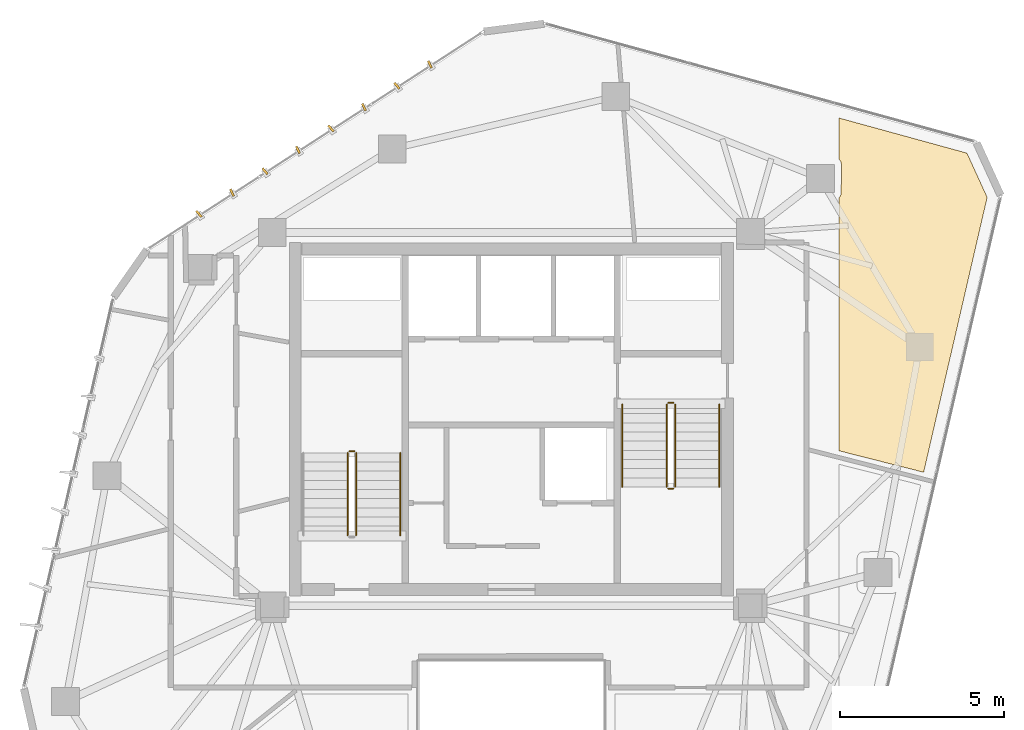
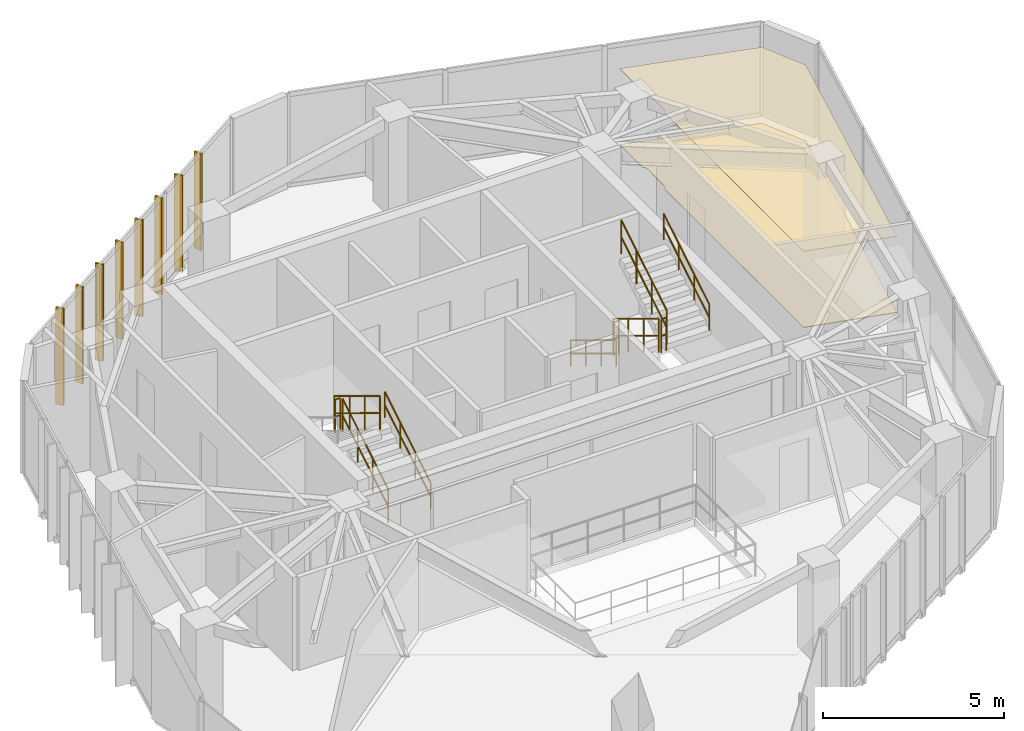
# One storey, part 20 of 20: 10 railings, 8 shading devices, 2 coverings.
"""IFC4 building model written with IfcOpenShell, lengths in metres."""

from ifc_helpers import new_model, si_unit, direction, frame, origin, origin_2d, place, context, subcontext, project, spatial, polyline, rectangle, circle, outline, extrude, source, transform, mapped, material, layer, layer_set, type_object, type_shapes, element, save


model = new_model("IFC4")

# Units and contexts
model_context = context("Model", 3, precision=1e-05, world=origin(), true_north=direction((0.0, 1.0)))
body_context = subcontext(model_context, "Body", "Model", "MODEL_VIEW")
ifc_project = project(units=[si_unit("LENGTHUNIT", "METRE"), si_unit("AREAUNIT", "SQUARE_METRE"), si_unit("VOLUMEUNIT", "CUBIC_METRE"), si_unit("PLANEANGLEUNIT", "RADIAN"), si_unit("MASSUNIT", "GRAM", prefix="KILO")], contexts=[model_context])

# Site, building, storey
site_placement = place(None, origin())
site = spatial("IfcSite", under=ifc_project, at=site_placement, CompositionType="ELEMENT")
building_placement = place(site_placement, origin())
building = spatial("IfcBuilding", under=site, at=building_placement, Name="Talar Marvaseh", CompositionType="ELEMENT")
storey_placement = place(building_placement, frame((0.0, 0.0, 247.60009765625)))
storey = spatial("IfcBuildingStorey", under=building, at=storey_placement, Name="L65", CompositionType="ELEMENT", Elevation=247.60009765625)

# Railings
ifc_material_1 = material(Name="Stainless Steel Grade 316", Category="steel")
railing_type_1 = type_object("IfcRailingType", Name="Brushed Stainless Wall Pitch Handrail 900", PredefinedType="HANDRAIL", material=ifc_material_1)
railing_1_placement = place(storey_placement, frame((22.610107421875, 27.64990234375, 0.169921875)))
element("IfcRailing", 1, at=railing_1_placement, inside=storey, type_object=railing_type_1, Name="L65 ST-1 stair handrail 1", PredefinedType="HANDRAIL", context=body_context, shape_type="SweptSolid", body=[
    extrude(circle(Radius=0.02392578125, at=origin_2d()), frame((0.0, 0.0, 0.8759765625), z_axis=(0.0, 0.85478489116, 0.518982456201), x_axis=(-1.0, 0.0, 0.0)), (0.0, 0.0, 1.0), 2.9482421875),
    extrude(circle(Radius=0.02392578125, at=origin_2d()), frame((0.0, 0.0, 0.42578125), z_axis=(0.0, 0.85478489116, 0.518982456201), x_axis=(-1.0, 0.0, 0.0)), (0.0, 0.0, 1.0), 2.9482421875),
    extrude(circle(Radius=0.02099609375, at=origin_2d()), origin(), (0.0, 0.0, 1.0), 0.851806640625),
    extrude(circle(Radius=0.02099609375, at=origin_2d()), frame((0.0, 0.840087890625, 0.510009765625)), (0.0, 0.0, 1.0), 0.851806640625),
    extrude(circle(Radius=0.02099609375, at=origin_2d()), frame((0.0, 1.679931640625, 1.02001953125)), (0.0, 0.0, 1.0), 0.851806640625),
    extrude(circle(Radius=0.02099609375, at=origin_2d()), frame((0.0, 2.52001953125, 1.530029296875)), (0.0, 0.0, 1.0), 0.851806640625),
])
railing_2_placement = place(storey_placement, frame((29.389892578125, 31.64990234375, 0.169921875)))
element("IfcRailing", 2, at=railing_2_placement, inside=storey, type_object=railing_type_1, Name="L65 ST-2 stair handrail 1", PredefinedType="HANDRAIL", context=body_context, shape_type="SweptSolid", body=[
    extrude(circle(Radius=0.02392578125, at=origin_2d()), frame((0.0, 0.0, 0.8759765625), z_axis=(0.0, -0.85478489116, 0.518982456201), x_axis=(1.0, 0.0, 0.0)), (0.0, 0.0, 1.0), 2.9482421875),
    extrude(circle(Radius=0.02392578125, at=origin_2d()), frame((0.0, 0.0, 0.42578125), z_axis=(0.0, -0.85478489116, 0.518982456201), x_axis=(1.0, 0.0, 0.0)), (0.0, 0.0, 1.0), 2.9482421875),
    extrude(circle(Radius=0.02099609375, at=origin_2d()), origin(), (0.0, 0.0, 1.0), 0.851806640625),
    extrude(circle(Radius=0.02099609375, at=origin_2d()), frame((0.0, -0.840087890625, 0.510009765625)), (0.0, 0.0, 1.0), 0.851806640625),
    extrude(circle(Radius=0.02099609375, at=origin_2d()), frame((0.0, -1.679931640625, 1.02001953125)), (0.0, 0.0, 1.0), 0.851806640625),
    extrude(circle(Radius=0.02099609375, at=origin_2d()), frame((0.0, -2.52001953125, 1.530029296875)), (0.0, 0.0, 1.0), 0.851806640625),
])
railing_3_placement = place(storey_placement, frame((32.35009765625, 29.1298828125, 1.869873046875)))
element("IfcRailing", 3, at=railing_3_placement, inside=storey, type_object=railing_type_1, Name="L65 ST-2 stair handrail 2", PredefinedType="HANDRAIL", context=body_context, shape_type="SweptSolid", body=[
    extrude(circle(Radius=0.02392578125, at=origin_2d()), frame((0.0, 0.0, 0.8759765625), z_axis=(0.0, 0.85478489116, 0.518982456201), x_axis=(-1.0, 0.0, 0.0)), (0.0, 0.0, 1.0), 2.9482421875),
    extrude(circle(Radius=0.02392578125, at=origin_2d()), frame((0.0, 0.0, 0.42578125), z_axis=(0.0, 0.85478489116, 0.518982456201), x_axis=(-1.0, 0.0, 0.0)), (0.0, 0.0, 1.0), 2.9482421875),
    extrude(circle(Radius=0.02099609375, at=origin_2d()), origin(), (0.0, 0.0, 1.0), 0.851806640625),
    extrude(circle(Radius=0.02099609375, at=origin_2d()), frame((0.0, 0.840087890625, 0.510009765625)), (0.0, 0.0, 1.0), 0.851806640625),
    extrude(circle(Radius=0.02099609375, at=origin_2d()), frame((0.0, 1.679931640625, 1.02001953125)), (0.0, 0.0, 1.0), 0.851806640625),
    extrude(circle(Radius=0.02099609375, at=origin_2d()), frame((0.0, 2.52001953125, 1.530029296875)), (0.0, 0.0, 1.0), 0.851806640625),
])
railing_type_2 = type_object("IfcRailingType", Name="Painted Steel Core Stair Well Guardrail 1150", PredefinedType="GUARDRAIL", material=ifc_material_1)
railing_4_placement = place(storey_placement, frame((21.260009765625, 27.64990234375, 0.169921875)))
element("IfcRailing", 4, at=railing_4_placement, inside=storey, type_object=railing_type_2, Name="L65 ST-1 stair guard 1", PredefinedType="GUARDRAIL", context=body_context, shape_type="SweptSolid", body=[
    extrude(circle(Radius=0.02392578125, at=origin_2d()), frame((0.0, 0.0, 1.1259765625), z_axis=(0.0, 0.85478489116, 0.518982456201), x_axis=(-1.0, 0.0, 0.0)), (0.0, 0.0, 1.0), 2.9482421875),
    extrude(circle(Radius=0.02392578125, at=origin_2d()), frame((0.0, 0.0, 0.55078125), z_axis=(0.0, 0.85478489116, 0.518982456201), x_axis=(-1.0, 0.0, 0.0)), (0.0, 0.0, 1.0), 2.9482421875),
    extrude(circle(Radius=0.02099609375, at=origin_2d()), origin(), (0.0, 0.0, 1.0), 1.101806640625),
    extrude(circle(Radius=0.02099609375, at=origin_2d()), frame((0.0, 0.840087890625, 0.510009765625)), (0.0, 0.0, 1.0), 1.101806640625),
    extrude(circle(Radius=0.02099609375, at=origin_2d()), frame((0.0, 1.679931640625, 1.02001953125)), (0.0, 0.0, 1.0), 1.101806640625),
    extrude(circle(Radius=0.02099609375, at=origin_2d()), frame((0.0, 2.52001953125, 1.530029296875)), (0.0, 0.0, 1.0), 1.101806640625),
])
railing_5_placement = place(storey_placement, frame((21.2099609375, 30.219970703125, 1.699951171875)))
element("IfcRailing", 5, at=railing_5_placement, inside=storey, type_object=railing_type_2, Name="L65 ST-1 stair guard 2", PredefinedType="GUARDRAIL", context=body_context, shape_type="SweptSolid", body=[
    extrude(circle(Radius=0.02392578125, at=origin_2d()), frame((0.0, 0.0, 1.1259765625), z_axis=(-1.0, 0.0, 0.0), x_axis=(0.0, -1.0, 0.0)), (0.0, 0.0, 1.0), 0.159912109375),
    extrude(circle(Radius=0.02392578125, at=origin_2d()), frame((0.0, 0.0, 0.55078125), z_axis=(-1.0, 0.0, 0.0), x_axis=(0.0, -1.0, 0.0)), (0.0, 0.0, 1.0), 0.159912109375),
    extrude(circle(Radius=0.02099609375, at=origin_2d()), origin(), (0.0, 0.0, 1.0), 1.101806640625),
    extrude(circle(Radius=0.02099609375, at=origin_2d()), frame((-0.159912109375, 0.0, 0.0)), (0.0, 0.0, 1.0), 1.101806640625),
])
for number, where, name in (
    (6, (21.0, 30.169921875, 1.869873046875), "L65 ST-1 stair guard 3"),
    (7, (30.739990234375, 31.64990234375, 0.169921875), "L65 ST-2 stair guard 1"),
):
    element("IfcRailing", number, at=place(storey_placement, frame(where)), inside=storey, type_object=railing_type_2, Name=name, PredefinedType="GUARDRAIL", context=body_context, shape_type="SweptSolid", body=[
        extrude(circle(Radius=0.02392578125, at=origin_2d()), frame((0.0, 0.0, 1.1259765625), z_axis=(0.0, -0.85478489116, 0.518982456201), x_axis=(1.0, 0.0, 0.0)), (0.0, 0.0, 1.0), 2.9482421875),
        extrude(circle(Radius=0.02392578125, at=origin_2d()), frame((0.0, 0.0, 0.55078125), z_axis=(0.0, -0.85478489116, 0.518982456201), x_axis=(1.0, 0.0, 0.0)), (0.0, 0.0, 1.0), 2.9482421875),
        extrude(circle(Radius=0.02099609375, at=origin_2d()), origin(), (0.0, 0.0, 1.0), 1.101806640625),
        extrude(circle(Radius=0.02099609375, at=origin_2d()), frame((0.0, -0.840087890625, 0.510009765625)), (0.0, 0.0, 1.0), 1.101806640625),
        extrude(circle(Radius=0.02099609375, at=origin_2d()), frame((0.0, -1.679931640625, 1.02001953125)), (0.0, 0.0, 1.0), 1.101806640625),
        extrude(circle(Radius=0.02099609375, at=origin_2d()), frame((0.0, -2.52001953125, 1.530029296875)), (0.0, 0.0, 1.0), 1.101806640625),
    ])
railing_6_placement = place(storey_placement, frame((30.7900390625, 29.080078125, 1.699951171875)))
element("IfcRailing", 8, at=railing_6_placement, inside=storey, type_object=railing_type_2, Name="L65 ST-2 stair guard 2", PredefinedType="GUARDRAIL", context=body_context, shape_type="SweptSolid", body=[
    extrude(circle(Radius=0.02392578125, at=origin_2d()), frame((0.0, 0.0, 1.1259765625), z_axis=(1.0, 0.0, 0.0), x_axis=(0.0, 1.0, 0.0)), (0.0, 0.0, 1.0), 0.159912109375),
    extrude(circle(Radius=0.02392578125, at=origin_2d()), frame((0.0, 0.0, 0.55078125), z_axis=(1.0, 0.0, 0.0), x_axis=(0.0, 1.0, 0.0)), (0.0, 0.0, 1.0), 0.159912109375),
    extrude(circle(Radius=0.02099609375, at=origin_2d()), origin(), (0.0, 0.0, 1.0), 1.101806640625),
    extrude(circle(Radius=0.02099609375, at=origin_2d()), frame((0.159912109375, 0.0, 0.0)), (0.0, 0.0, 1.0), 1.101806640625),
])
railing_7_placement = place(storey_placement, frame((31.0, 29.1298828125, 1.869873046875)))
element("IfcRailing", 9, at=railing_7_placement, inside=storey, type_object=railing_type_2, Name="L65 ST-2 stair guard 3", PredefinedType="GUARDRAIL", context=body_context, shape_type="SweptSolid", body=[
    extrude(circle(Radius=0.02392578125, at=origin_2d()), frame((0.0, 0.0, 1.1259765625), z_axis=(0.0, 0.85478489116, 0.518982456201), x_axis=(-1.0, 0.0, 0.0)), (0.0, 0.0, 1.0), 2.9482421875),
    extrude(circle(Radius=0.02392578125, at=origin_2d()), frame((0.0, 0.0, 0.55078125), z_axis=(0.0, 0.85478489116, 0.518982456201), x_axis=(-1.0, 0.0, 0.0)), (0.0, 0.0, 1.0), 2.9482421875),
    extrude(circle(Radius=0.02099609375, at=origin_2d()), origin(), (0.0, 0.0, 1.0), 1.101806640625),
    extrude(circle(Radius=0.02099609375, at=origin_2d()), frame((0.0, 0.840087890625, 0.510009765625)), (0.0, 0.0, 1.0), 1.101806640625),
    extrude(circle(Radius=0.02099609375, at=origin_2d()), frame((0.0, 1.679931640625, 1.02001953125)), (0.0, 0.0, 1.0), 1.101806640625),
    extrude(circle(Radius=0.02099609375, at=origin_2d()), frame((0.0, 2.52001953125, 1.530029296875)), (0.0, 0.0, 1.0), 1.101806640625),
])
railing_8_placement = place(storey_placement, frame((30.7900390625, 31.699951171875, 0.0)))
element("IfcRailing", 10, at=railing_8_placement, inside=storey, type_object=railing_type_2, Name="L65 ST-2 stair guard 4", PredefinedType="GUARDRAIL", context=body_context, shape_type="SweptSolid", body=[
    extrude(circle(Radius=0.02392578125, at=origin_2d()), frame((0.0, 0.0, 1.1259765625), z_axis=(1.0, 0.0, 0.0), x_axis=(0.0, 1.0, 0.0)), (0.0, 0.0, 1.0), 0.159912109375),
    extrude(circle(Radius=0.02392578125, at=origin_2d()), frame((0.0, 0.0, 0.55078125), z_axis=(1.0, 0.0, 0.0), x_axis=(0.0, 1.0, 0.0)), (0.0, 0.0, 1.0), 0.159912109375),
    extrude(circle(Radius=0.02099609375, at=origin_2d()), origin(), (0.0, 0.0, 1.0), 1.101806640625),
    extrude(circle(Radius=0.02099609375, at=origin_2d()), frame((0.159912109375, 0.0, 0.0)), (0.0, 0.0, 1.0), 1.101806640625),
])

# Coverings
ifc_material_2 = material(Name="Mineral Fibre Acoustic Ceiling")
ifc_layer_1 = layer(ifc_material_2, 0.02490234375)
ifc_layer_set_1 = layer_set([ifc_layer_1], Name="Mineral Fibre Acoustic Ceiling")
covering_type_1 = type_object("IfcCoveringType", Name="Perforated Mineral Fibre Acoustic Suspended Ceiling", PredefinedType="CEILING", material=ifc_layer_set_1)
covering_1_placement = place(storey_placement, frame((0.0, 0.0, 2.559814453125)))
element("IfcCovering", 11, at=covering_1_placement, inside=storey, type_object=covering_type_1, Name="L65 Scholars' Servery Pantry Acoustic Ceiling", PredefinedType="CEILING", context=body_context, shape_type="SweptSolid", body=[
    extrude(outline(polyline([(40.530517578125, 37.97412109375), (38.5908203125, 29.578369140625), (36.0, 30.2353515625), (36.0, 37.96044921875), (36.0, 37.96044921875), (36.0146484375, 37.9736328125), (36.02783203125, 37.988037109375), (36.03955078125, 38.00390625), (36.0498046875, 38.0205078125), (36.05810546875, 38.0380859375), (36.064697265625, 38.056640625), (36.069580078125, 38.075439453125), (36.072509765625, 38.094970703125), (36.073486328125, 38.114501953125), (36.077880859375, 38.9765625), (36.0771484375, 38.9951171875), (36.07470703125, 39.013671875), (36.0703125, 39.03173828125), (36.064453125, 39.049560546875), (36.056884765625, 39.066650390625), (36.0478515625, 39.0830078125), (36.037353515625, 39.09814453125), (36.025390625, 39.112548828125), (36.01220703125, 39.125732421875), (36.0, 39.13671875), (36.0, 40.397216796875), (39.91357421875, 39.3232421875), (40.530517578125, 37.97412109375)])), origin(), (0.0, 0.0, 1.0), 0.025146484375),
])
ifc_material_3 = material(Name="Porcelain Stoneware Tile", Category="masonry")
ifc_layer_2 = layer(ifc_material_3, 0.02001953125)
ifc_layer_set_2 = layer_set([ifc_layer_2], Name="Porcelain Stoneware Tile")
covering_type_2 = type_object("IfcCoveringType", Name="Polished Porcelain Stoneware Gallery Flooring", PredefinedType="FLOORING", material=ifc_layer_set_2)
covering_2_placement = place(storey_placement, origin())
element("IfcCovering", 12, at=covering_2_placement, inside=storey, type_object=covering_type_2, Name="L65 Scholars' Servery Pantry Flooring", PredefinedType="FLOORING", context=body_context, shape_type="SweptSolid", body=[
    extrude(outline(polyline([(40.530517578125, 37.97412109375), (38.5908203125, 29.578369140625), (36.0, 30.2353515625), (36.0, 37.96044921875), (36.0, 37.96044921875), (36.0146484375, 37.9736328125), (36.02783203125, 37.988037109375), (36.03955078125, 38.00390625), (36.0498046875, 38.0205078125), (36.05810546875, 38.0380859375), (36.064697265625, 38.056640625), (36.069580078125, 38.075439453125), (36.072509765625, 38.094970703125), (36.073486328125, 38.114501953125), (36.077880859375, 38.9765625), (36.0771484375, 38.9951171875), (36.07470703125, 39.013671875), (36.0703125, 39.03173828125), (36.064453125, 39.049560546875), (36.056884765625, 39.066650390625), (36.0478515625, 39.0830078125), (36.037353515625, 39.09814453125), (36.025390625, 39.112548828125), (36.01220703125, 39.125732421875), (36.0, 39.13671875), (36.0, 40.397216796875), (39.91357421875, 39.3232421875), (40.530517578125, 37.97412109375)])), origin(), (0.0, 0.0, 1.0), 0.02001953125),
])

# Shading devices
ifc_material_4 = material(Name="Anodised Champagne Bronze Aluminium", Category="aluminium")
ifc_layer_3 = layer(ifc_material_4, 0.06494140625)
ifc_layer_set_3 = layer_set([ifc_layer_3], Name="Anodised Champagne Bronze Aluminium")
shading_device_type = type_object("IfcShadingDeviceType", Name="Sawtooth Champagne Bronze Vertical Fin 240", PredefinedType="USERDEFINED", material=ifc_layer_set_3)
shared_shape = source(origin(), body_context, "Body", "SweptSolid", [
    extrude(rectangle(XDim=0.239990234375, YDim=0.06494140625, at=origin_2d()), origin(), (0.0, 0.0, 1.0), 3.260009765625),
])
type_shapes(shading_device_type, [shared_shape])
for number, where, z_axis, x_axis, name in (
    (13, (16.46240234375, 37.46630859375, -0.1201171875), (0.0, 0.0, 1.0), (-0.6551364879, 0.755510544084, 0.0), "L65 Sawtooth Vertical Solar Fin"),
    (14, (17.469482421875, 38.118408203125, -0.1201171875), (0.0, 0.0, 1.0), (-0.421510682766, 0.90682343613, 0.0), "L65 Sawtooth Vertical Solar Fin"),
    (15, (18.476806640625, 38.77099609375, -0.1201171875), (0.0, 0.0, 1.0), (-0.6551364879, 0.755510544084, 0.0), "L65 Sawtooth Vertical Solar Fin"),
    (16, (19.48388671875, 39.42333984375, -0.1201171875), (0.0, 0.0, 1.0), (-0.421510682766, 0.90682343613, 0.0), "L65 Sawtooth Vertical Solar Fin"),
    (17, (20.4912109375, 40.07568359375, -0.1201171875), (0.0, 0.0, 1.0), (-0.6551364879, 0.755510544084, 0.0), "L65 Sawtooth Vertical Solar Fin"),
    (18, (21.498291015625, 40.72802734375, -0.1201171875), (0.0, 0.0, 1.0), (-0.421510682766, 0.90682343613, 0.0), "L65 Sawtooth Vertical Solar Fin"),
    (19, (22.505615234375, 41.38037109375, -0.1201171875), (0.0, 0.0, 1.0), (-0.6551364879, 0.755510544084, 0.0), "L65 Sawtooth Vertical Solar Fin"),
    (20, (23.5126953125, 42.03271484375, -0.1201171875), (0.0, 0.0, 1.0), (-0.421510682766, 0.90682343613, 0.0), "L65 Sawtooth Vertical Solar Fin"),
):
    element("IfcShadingDevice", number, at=place(storey_placement, frame(where, z_axis=z_axis, x_axis=x_axis)), inside=storey, type_object=shading_device_type, Name=name, ObjectType="FIN", PredefinedType="USERDEFINED", context=body_context, shape_type="MappedRepresentation", body=[
        mapped(shared_shape, transform((0.0, 0.0, 0.0), x_axis=(1.0, 0.0, 0.0), y_axis=(0.0, 1.0, 0.0), z_axis=(0.0, 0.0, 1.0), scale=1.0)),
    ])

save(model, "model.ifc")
